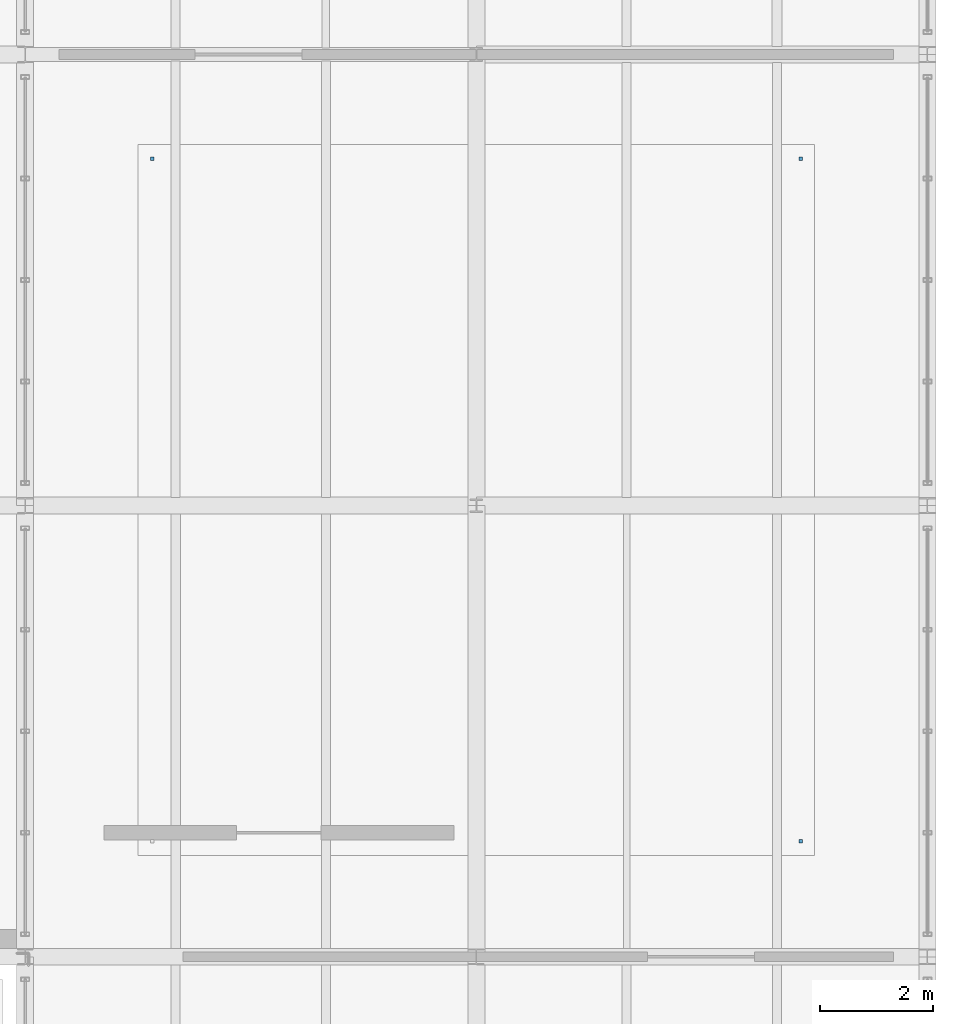
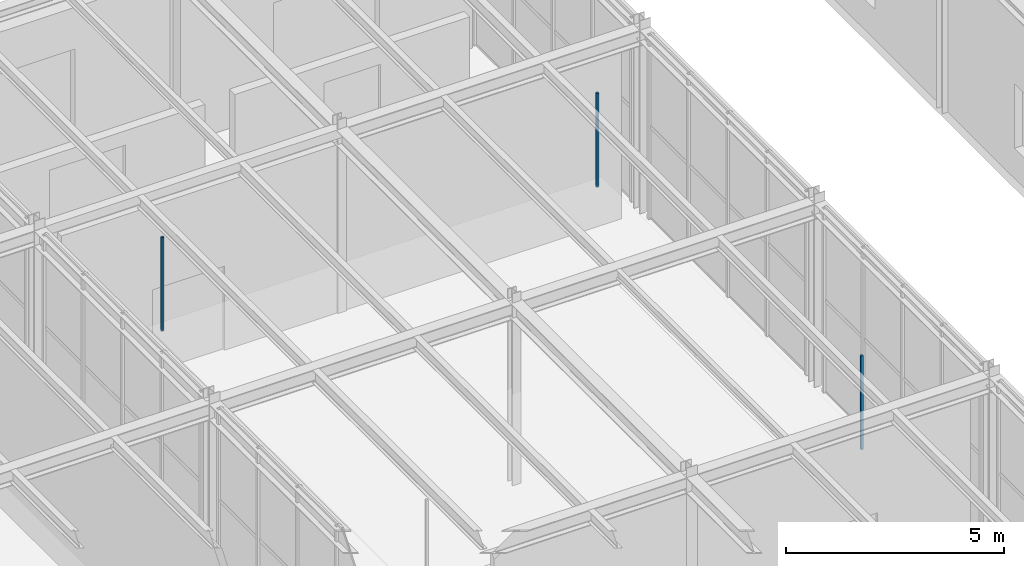
# One storey, part 97 of 129: 3 discrete accessories.
"""IFC4 building model written with IfcOpenShell, lengths in metres."""

from ifc_helpers import new_model, si_unit, direction, frame, origin, origin_2d, place, context, subcontext, project, spatial, rectangle, extrude, material, type_object, element, save


model = new_model("IFC4")

# Units and contexts
model_context = context("Model", 3, precision=1e-05, world=origin(), true_north=direction((0.0, 1.0)))
body_context = subcontext(model_context, "Body", "Model", "MODEL_VIEW")
ifc_project = project(units=[si_unit("LENGTHUNIT", "METRE"), si_unit("AREAUNIT", "SQUARE_METRE"), si_unit("VOLUMEUNIT", "CUBIC_METRE"), si_unit("PLANEANGLEUNIT", "RADIAN"), si_unit("MASSUNIT", "GRAM", prefix="KILO")], contexts=[model_context])

# Site, building, storey
site_placement = place(None, origin())
site = spatial("IfcSite", under=ifc_project, at=site_placement, CompositionType="ELEMENT")
building_placement = place(site_placement, origin())
building = spatial("IfcBuilding", under=site, at=building_placement, Name="Sundkrona Museum", CompositionType="ELEMENT")
storey_placement = place(building_placement, origin())
storey = spatial("IfcBuildingStorey", under=building, at=storey_placement, Name="L00", CompositionType="ELEMENT", Elevation=0.0)

# Discrete accessories
ifc_material = material(Name="Stainless Steel EN 1.4404 Cleat", Category="steel")
discrete_accessory_type = type_object("IfcDiscreteAccessoryType", Name="BRK-FIN-01", PredefinedType="BRACKET", material=ifc_material)
for number, where, z_axis, x_axis, name in (
    (1, (93.75, 80.050048828125, 2.550048828125), (0.0, 0.0, 1.0), (1.0, 0.0, 0.0), "L00 Public Natural History Study Room Ceiling Hanger 2"),
    (2, (93.75, 92.14990234375, 2.550048828125), (0.0, 0.0, 1.0), (1.0, 0.0, 0.0), "L00 Public Natural History Study Room Ceiling Hanger 3"),
    (3, (82.25, 92.14990234375, 2.550048828125), (0.0, 0.0, 1.0), (1.0, 0.0, 0.0), "L00 Public Natural History Study Room Ceiling Hanger 4"),
):
    element("IfcDiscreteAccessory", number, at=place(storey_placement, frame(where, z_axis=z_axis, x_axis=x_axis)), inside=storey, type_object=discrete_accessory_type, Name=name, PredefinedType="BRACKET", context=body_context, shape_type="SweptSolid", body=[
        extrude(rectangle(XDim=0.06005859375, YDim=0.06005859375, at=origin_2d()), origin(), (0.0, 0.0, 1.0), 2.6201171875),
    ])

save(model, "model.ifc")
